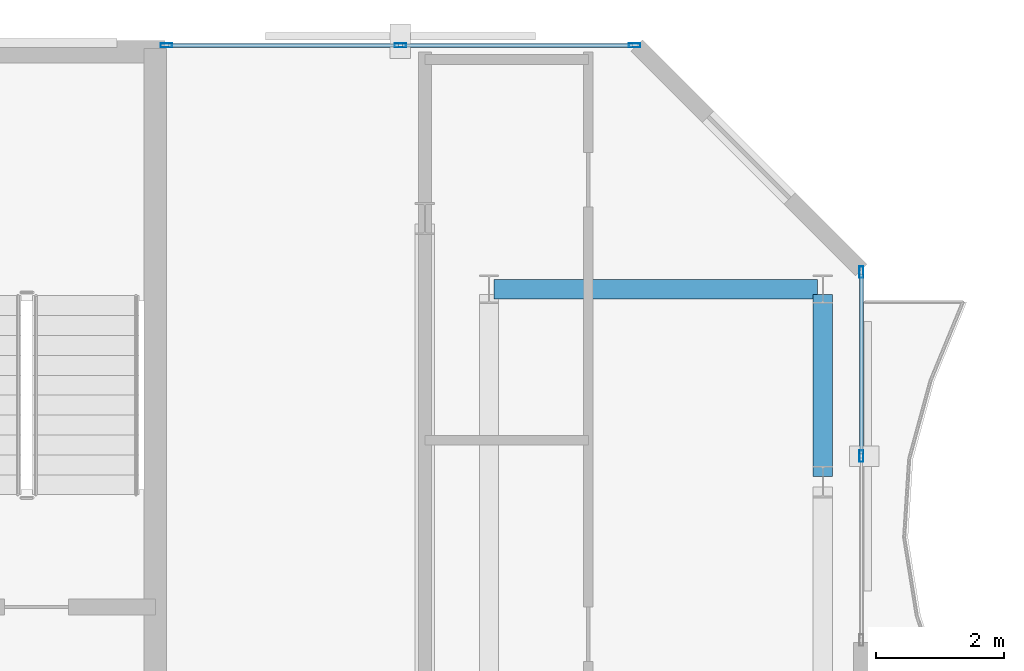
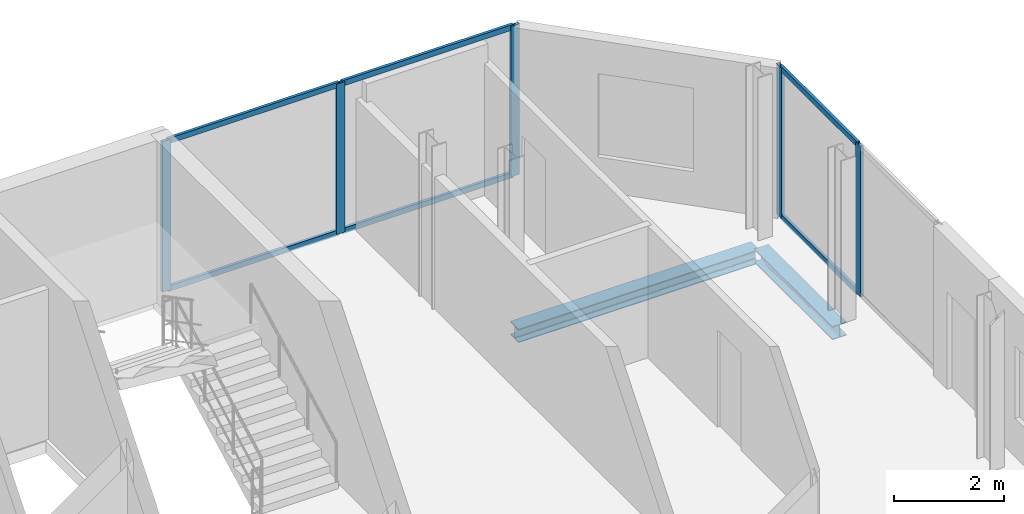
# One storey, part 16 of 23: 11 members, 2 beams, 2 elements without a shape of their own.
"""IFC4 building model written with IfcOpenShell, lengths in metres."""

from ifc_helpers import new_model, si_unit, direction, frame, origin, origin_2d, place, context, subcontext, project, spatial, hollow_rectangle, i_section, extrude, material, layer, layer_set, material_profile, profile_set, type_object, element, aggregate, save


model = new_model("IFC4")

# Units and contexts
model_context = context("Model", 3, precision=1e-05, world=origin(), true_north=direction((0.0, 1.0)))
body_context = subcontext(model_context, "Body", "Model", "MODEL_VIEW")
ifc_project = project(units=[si_unit("LENGTHUNIT", "METRE"), si_unit("AREAUNIT", "SQUARE_METRE"), si_unit("VOLUMEUNIT", "CUBIC_METRE"), si_unit("PLANEANGLEUNIT", "RADIAN"), si_unit("MASSUNIT", "GRAM", prefix="KILO")], contexts=[model_context])

# Site, building, storey
site_placement = place(None, origin())
site = spatial("IfcSite", under=ifc_project, at=site_placement, CompositionType="ELEMENT")
building_placement = place(site_placement, origin())
building = spatial("IfcBuilding", under=site, at=building_placement, Name="Catumbela Crestline Tower", CompositionType="ELEMENT")
storey_placement = place(building_placement, frame((0.0, 0.0, 193.8)))
storey = spatial("IfcBuildingStorey", under=building, at=storey_placement, Name="L50", CompositionType="ELEMENT", Elevation=193.8)

# Curtain wall, members
ifc_material_1 = material(Name="Aluminium alloy AW-6060-T66", Category="aluminium")
ifc_layer = layer(ifc_material_1, 0.18, Name="Aluminium alloy AW-6060-T66")
ifc_layer_set = layer_set([ifc_layer], Name="Aluminium alloy AW-6060-T66")
curtain_wall_type = type_object("IfcCurtainWallType", Name="CWU-Z3", PredefinedType="USERDEFINED", material=ifc_layer_set)
curtain_wall_1_placement = place(storey_placement, origin())
curtain_wall_1 = element("IfcCurtainWall", 1, at=curtain_wall_1_placement, inside=storey, type_object=curtain_wall_type, Name="L50 Unitised Curtain Wall CW-L50-E5S2", ObjectType="UNITISED", PredefinedType="USERDEFINED")
ifc_material_profile_1 = material_profile(ifc_material_1, hollow_rectangle(XDim=0.065, YDim=0.18, WallThickness=0.004, at=origin_2d()), Name="ALU 180x65x4")
ifc_profile_set_1 = profile_set([ifc_material_profile_1], Name="Aluminium alloy AW-6060-T66")
member_type_1 = type_object("IfcMemberType", Name="MUL-180X65", PredefinedType="MULLION", material=ifc_profile_set_1)
member_1_placement = place(storey_placement, frame((51.0, 36.6, 0.0), z_axis=(0.0, 0.0, 1.0), x_axis=(-1.0, 0.0, 0.0)))
member_1 = element("IfcMember", 2, at=member_1_placement, type_object=member_type_1, Name="CWU-Z3 mullion 2", PredefinedType="MULLION", context=body_context, shape_type="SweptSolid", body=[
    extrude(hollow_rectangle(XDim=0.065, YDim=0.18, WallThickness=0.004, at=origin_2d()), origin(), (0.0, 0.0, 1.0), 3.33),
])
member_2_placement = place(storey_placement, frame((51.0, 39.4675, 0.0), z_axis=(0.0, 0.0, 1.0), x_axis=(-1.0, 0.0, 0.0)))
member_2 = element("IfcMember", 3, at=member_2_placement, type_object=member_type_1, Name="CWU-Z3 mullion 3", PredefinedType="MULLION", context=body_context, shape_type="SweptSolid", body=[
    extrude(hollow_rectangle(XDim=0.065, YDim=0.18, WallThickness=0.004, at=origin_2d()), origin(), (0.0, 0.0, 1.0), 3.33),
])

curtain_wall_2_placement = place(storey_placement, origin())
curtain_wall_2 = element("IfcCurtainWall", 4, at=curtain_wall_2_placement, inside=storey, type_object=curtain_wall_type, Name="L50 Unitised Curtain Wall CW-L50-E7S1", ObjectType="UNITISED", PredefinedType="USERDEFINED")
member_3_placement = place(storey_placement, frame((47.4675, 43.0, 0.0), z_axis=(0.0, 0.0, 1.0), x_axis=(0.0, -1.0, 0.0)))
member_3 = element("IfcMember", 5, at=member_3_placement, type_object=member_type_1, Name="CWU-Z3 mullion 1", PredefinedType="MULLION", context=body_context, shape_type="SweptSolid", body=[
    extrude(hollow_rectangle(XDim=0.065, YDim=0.18, WallThickness=0.004, at=origin_2d()), origin(), (0.0, 0.0, 1.0), 3.33),
])
member_4_placement = place(storey_placement, frame((43.82, 43.0, 0.0), z_axis=(0.0, 0.0, 1.0), x_axis=(0.0, -1.0, 0.0)))
member_4 = element("IfcMember", 6, at=member_4_placement, type_object=member_type_1, Name="CWU-Z3 mullion 2", PredefinedType="MULLION", context=body_context, shape_type="SweptSolid", body=[
    extrude(hollow_rectangle(XDim=0.065, YDim=0.18, WallThickness=0.004, at=origin_2d()), origin(), (0.0, 0.0, 1.0), 3.33),
])
member_5_placement = place(storey_placement, frame((40.1725, 43.0, 0.0), z_axis=(0.0, 0.0, 1.0), x_axis=(0.0, -1.0, 0.0)))
member_5 = element("IfcMember", 7, at=member_5_placement, type_object=member_type_1, Name="CWU-Z3 mullion 3", PredefinedType="MULLION", context=body_context, shape_type="SweptSolid", body=[
    extrude(hollow_rectangle(XDim=0.065, YDim=0.18, WallThickness=0.004, at=origin_2d()), origin(), (0.0, 0.0, 1.0), 3.33),
])

# Beams
ifc_material_2 = material(Name="Structural steel S355J2", Category="steel")
ifc_material_profile_2 = material_profile(ifc_material_2, i_section(OverallWidth=0.3, OverallDepth=0.3, WebThickness=0.011, FlangeThickness=0.019, FilletRadius=0.027, at=origin_2d()), Name="HEB 300")
ifc_profile_set_2 = profile_set([ifc_material_profile_2], Name="Structural steel S355J2")
beam_type = type_object("IfcBeamType", Name="BS-HEB300", PredefinedType="SPANDREL", material=ifc_profile_set_2)
beam_1_placement = place(storey_placement, frame((45.28, 39.2, -0.41), z_axis=(1.0, 0.0, 0.0), x_axis=(0.0, 1.0, 0.0)))
element("IfcBeam", 8, at=beam_1_placement, inside=storey, type_object=beam_type, Name="L50 Spandrel SP-L50-N13", PredefinedType="SPANDREL", context=body_context, shape_type="SweptSolid", body=[
    extrude(i_section(OverallWidth=0.3, OverallDepth=0.3, WebThickness=0.011, FlangeThickness=0.019, FilletRadius=0.027, at=origin_2d()), origin(), (0.0, 0.0, 1.0), 5.04),
])
beam_2_placement = place(storey_placement, frame((50.4, 36.28, -0.41), z_axis=(0.0, 1.0, 0.0), x_axis=(-1.0, 0.0, 0.0)))
element("IfcBeam", 9, at=beam_2_placement, inside=storey, type_object=beam_type, Name="L50 Spandrel SP-L50-SN25", PredefinedType="SPANDREL", context=body_context, shape_type="SweptSolid", body=[
    extrude(i_section(OverallWidth=0.3, OverallDepth=0.3, WebThickness=0.011, FlangeThickness=0.019, FilletRadius=0.027, at=origin_2d()), origin(), (0.0, 0.0, 1.0), 2.84),
])

# Member
ifc_material_profile_3 = material_profile(ifc_material_1, hollow_rectangle(XDim=0.06, YDim=0.12, WallThickness=0.0035, at=origin_2d()), Name="ALU 120x60x3.5")
ifc_profile_set_3 = profile_set([ifc_material_profile_3], Name="Aluminium alloy AW-6060-T66")
member_type_2 = type_object("IfcMemberType", Name="TRN-120X60", PredefinedType="USERDEFINED", material=ifc_profile_set_3)
member_6_placement = place(storey_placement, frame((51.0, 36.6325, 0.03), z_axis=(0.0, 1.0, 0.0), x_axis=(-1.0, 0.0, 0.0)))
member_6 = element("IfcMember", 10, at=member_6_placement, type_object=member_type_2, Name="CWU-Z3 transom 2.1", ObjectType="TRANSOM", PredefinedType="USERDEFINED", context=body_context, shape_type="SweptSolid", body=[
    extrude(hollow_rectangle(XDim=0.06, YDim=0.12, WallThickness=0.0035, at=origin_2d()), origin(), (0.0, 0.0, 1.0), 2.8025),
])

member_7_placement = place(storey_placement, frame((51.0, 36.6325, 3.3), z_axis=(0.0, 1.0, 0.0), x_axis=(-1.0, 0.0, 0.0)))
member_7 = element("IfcMember", 11, at=member_7_placement, type_object=member_type_2, Name="CWU-Z3 transom 2.2", ObjectType="TRANSOM", PredefinedType="USERDEFINED", context=body_context, shape_type="SweptSolid", body=[
    extrude(hollow_rectangle(XDim=0.06, YDim=0.12, WallThickness=0.0035, at=origin_2d()), origin(), (0.0, 0.0, 1.0), 2.8025),
])

aggregate(curtain_wall_1, [member_1, member_2, member_6, member_7])

member_8_placement = place(storey_placement, frame((47.435, 43.0, 0.03), z_axis=(-1.0, 0.0, 0.0), x_axis=(0.0, -1.0, 0.0)))
member_8 = element("IfcMember", 12, at=member_8_placement, type_object=member_type_2, Name="CWU-Z3 transom 1.1", ObjectType="TRANSOM", PredefinedType="USERDEFINED", context=body_context, shape_type="SweptSolid", body=[
    extrude(hollow_rectangle(XDim=0.06, YDim=0.12, WallThickness=0.0035, at=origin_2d()), origin(), (0.0, 0.0, 1.0), 3.5825),
])

member_9_placement = place(storey_placement, frame((47.435, 43.0, 3.3), z_axis=(-1.0, 0.0, 0.0), x_axis=(0.0, -1.0, 0.0)))
member_9 = element("IfcMember", 13, at=member_9_placement, type_object=member_type_2, Name="CWU-Z3 transom 1.2", ObjectType="TRANSOM", PredefinedType="USERDEFINED", context=body_context, shape_type="SweptSolid", body=[
    extrude(hollow_rectangle(XDim=0.06, YDim=0.12, WallThickness=0.0035, at=origin_2d()), origin(), (0.0, 0.0, 1.0), 3.5825),
])

member_10_placement = place(storey_placement, frame((43.7875, 43.0, 0.03), z_axis=(-1.0, 0.0, 0.0), x_axis=(0.0, -1.0, 0.0)))
member_10 = element("IfcMember", 14, at=member_10_placement, type_object=member_type_2, Name="CWU-Z3 transom 2.1", ObjectType="TRANSOM", PredefinedType="USERDEFINED", context=body_context, shape_type="SweptSolid", body=[
    extrude(hollow_rectangle(XDim=0.06, YDim=0.12, WallThickness=0.0035, at=origin_2d()), origin(), (0.0, 0.0, 1.0), 3.5825),
])

member_11_placement = place(storey_placement, frame((43.7875, 43.0, 3.3), z_axis=(-1.0, 0.0, 0.0), x_axis=(0.0, -1.0, 0.0)))
member_11 = element("IfcMember", 15, at=member_11_placement, type_object=member_type_2, Name="CWU-Z3 transom 2.2", ObjectType="TRANSOM", PredefinedType="USERDEFINED", context=body_context, shape_type="SweptSolid", body=[
    extrude(hollow_rectangle(XDim=0.06, YDim=0.12, WallThickness=0.0035, at=origin_2d()), origin(), (0.0, 0.0, 1.0), 3.5825),
])

aggregate(curtain_wall_2, [member_3, member_4, member_5, member_8, member_9, member_10, member_11])

save(model, "model.ifc")
